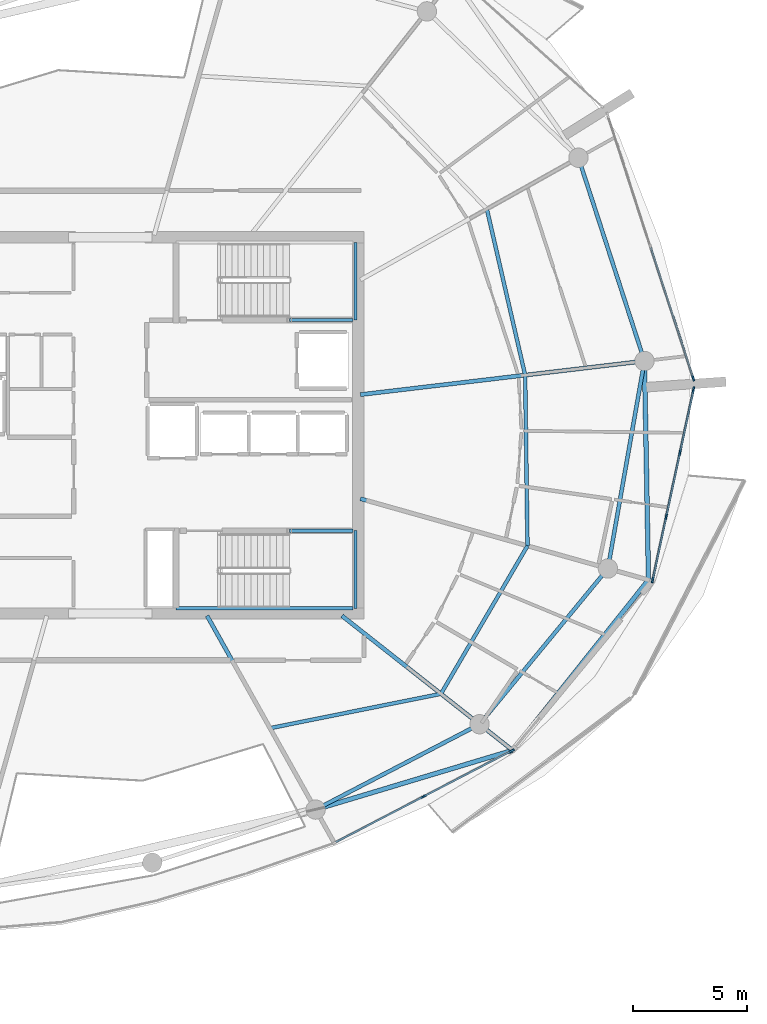
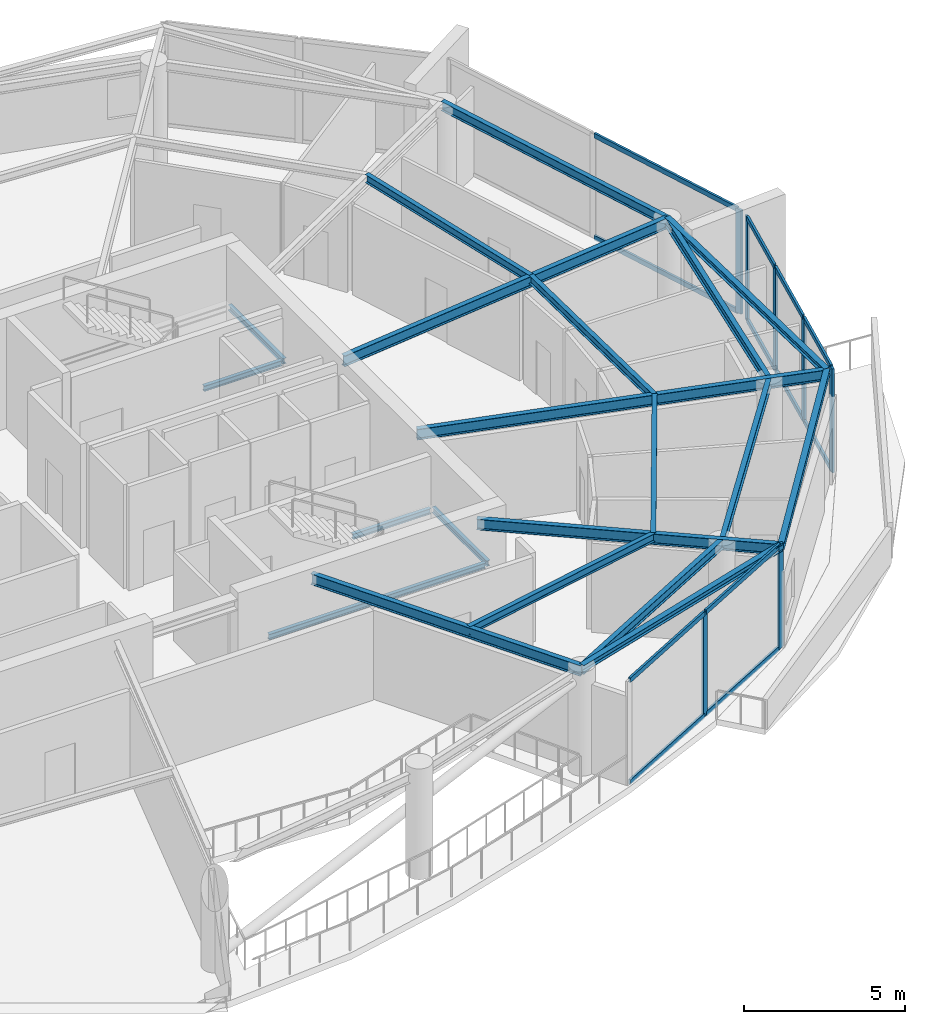
# One storey, part 6 of 22: 20 beams, 19 members, 3 elements without a shape of their own.
"""IFC4 building model written with IfcOpenShell, lengths in metres."""

import ifcopenshell
import ifcopenshell.guid

model = None  # the IFC model being written
_history = None  # IfcOwnerHistory: only IFC2X3 demands one
_inside = {}  # id of a spatial element -> (the spatial element, [elements in it])
_under = {}  # id of a project, library or spatial element -> (it, [spatial elements below it])
_declared = {}  # id of a project -> (the project, [libraries it declares])
_typed = {}  # id of a type object -> (the type object, [elements of that type])
_made_of = {}  # id of a material, layer set ... -> (it, [elements and type objects made of it])


def new_model(schema):
    """Start an empty IFC model of exactly this schema.

    Asked for "IFC4X3", IfcOpenShell would pick the latest addendum, in which some entities
    have other attributes; the version numbers below select the first issue.
    IFC2X3 requires an IfcOwnerHistory on every rooted entity: one is made here for all.
    """
    global model, _history
    if schema == "IFC4X3":
        model = ifcopenshell.file(schema_version=(4, 3, 0, 0))
    else:
        model = ifcopenshell.file(schema=schema)
    _inside.clear()
    _under.clear()
    _declared.clear()
    _typed.clear()
    _made_of.clear()
    _history = None
    if model.schema == "IFC2X3":
        org = make("IfcOrganization", Name="unknown")
        user = make(
            "IfcPersonAndOrganization",
            ThePerson=make("IfcPerson", FamilyName="unknown"),
            TheOrganization=org,
        )
        app = make(
            "IfcApplication",
            ApplicationDeveloper=org,
            Version="unknown",
            ApplicationFullName="unknown",
            ApplicationIdentifier="unknown",
        )
        _history = make(
            "IfcOwnerHistory",
            OwningUser=user,
            OwningApplication=app,
            ChangeAction="ADDED",
            CreationDate=0,
        )
    return model


def make(cls, **values):
    """One entity of the class cls with the attributes given. An attribute that is None is left unset."""
    return model.create_entity(
        cls, **{name: value for name, value in values.items() if value is not None}
    )


def rooted(cls, **values):
    """An entity with a GlobalId (a new one), such as an element, a storey or a relation."""
    return make(cls, GlobalId=ifcopenshell.guid.new(), OwnerHistory=_history, **values)


def si_unit(unit_type, name, prefix=None):
    """IfcSIUnit, for example si_unit("LENGTHUNIT", "METRE", prefix="MILLI")."""
    return make("IfcSIUnit", UnitType=unit_type, Prefix=prefix, Name=name)


def assignment(units):
    """IfcUnitAssignment: the units of a project."""
    return None if units is None else make("IfcUnitAssignment", Units=units)


def point(xyz):
    """IfcCartesianPoint."""
    return None if xyz is None else make("IfcCartesianPoint", Coordinates=xyz)


def direction(xyz):
    """IfcDirection."""
    return None if xyz is None else make("IfcDirection", DirectionRatios=xyz)


def frame(location, z_axis=None, x_axis=None):
    """IfcAxis2Placement3D, a coordinate frame: its origin and axes. An axis left out is left unset."""
    return make(
        "IfcAxis2Placement3D",
        Location=point(location),
        Axis=direction(z_axis),
        RefDirection=direction(x_axis),
    )


def frame_2d(location, x_axis=None):
    """IfcAxis2Placement2D, a coordinate frame in the plane: its origin and x axis."""
    return make(
        "IfcAxis2Placement2D", Location=point(location), RefDirection=direction(x_axis)
    )


def origin():
    """The frame at (0, 0, 0) with its axes left unset."""
    return frame((0.0, 0.0, 0.0))


def origin_2d():
    """The frame at (0, 0) in the plane with its x axis left unset."""
    return frame_2d((0.0, 0.0))


def place(relative_to, where):
    """IfcLocalPlacement: puts the frame where relative to a parent placement (None: the world)."""
    return make(
        "IfcLocalPlacement", PlacementRelTo=relative_to, RelativePlacement=where
    )


def context(
    kind, dimensions, precision=None, world=None, true_north=None, identifier=None
):
    """IfcGeometricRepresentationContext, for example the 3D "Model" context."""
    return make(
        "IfcGeometricRepresentationContext",
        ContextIdentifier=identifier,
        ContextType=kind,
        CoordinateSpaceDimension=dimensions,
        Precision=precision,
        WorldCoordinateSystem=world,
        TrueNorth=true_north,
    )


def subcontext(parent, identifier, kind, view, scale=None):
    """IfcGeometricRepresentationSubContext, for example "Body" below "Model"."""
    return make(
        "IfcGeometricRepresentationSubContext",
        ContextIdentifier=identifier,
        ContextType=kind,
        ParentContext=parent,
        TargetScale=scale,
        TargetView=view,
    )


def project(units=None, contexts=None):
    """IfcProject with its units and contexts."""
    return rooted(
        "IfcProject",
        Name="project",
        RepresentationContexts=contexts,
        UnitsInContext=assignment(units),
    )


def spatial(cls, under=None, at=None, **own):
    """A site, building, storey or space (cls), placed at a placement, below another one or the project."""
    s = rooted(cls, ObjectPlacement=at, **own)
    if under is not None:
        _under.setdefault(under.id(), (under, []))[1].append(s)
    return s


def profile(cls, at=None, kind="AREA", **sizes):
    """A parametric profile (cls). Its sizes go by their IFC names, for example OverallWidth=200.0."""
    return make(cls, ProfileType=kind, Position=at, **sizes)


def rectangle(**sizes):
    """IfcRectangleProfileDef."""
    return profile("IfcRectangleProfileDef", **sizes)


def i_section(**sizes):
    """IfcIShapeProfileDef."""
    return profile("IfcIShapeProfileDef", **sizes)


def extrude(swept, where, along, depth):
    """IfcExtrudedAreaSolid: the profile swept, set in the frame where, extruded along a direction by depth."""
    return make(
        "IfcExtrudedAreaSolid",
        SweptArea=swept,
        Position=where,
        ExtrudedDirection=direction(along),
        Depth=depth,
    )


def shape(context_of_items, identifier, shape_type, items):
    """IfcShapeRepresentation: the items that make up one representation, for example the "Body"."""
    return make(
        "IfcShapeRepresentation",
        ContextOfItems=context_of_items,
        RepresentationIdentifier=identifier,
        RepresentationType=shape_type,
        Items=items,
    )


def material(Name=None, Category=None):
    """IfcMaterial."""
    return make("IfcMaterial", Name=Name, Category=Category)


def layer(
    of_material, thickness, ventilated=None, Name=None, Category=None, Priority=None
):
    """IfcMaterialLayer: one layer of a wall or slab, of a material (None: an air gap)."""
    return make(
        "IfcMaterialLayer",
        Material=of_material,
        LayerThickness=thickness,
        IsVentilated=ventilated,
        Name=Name,
        Category=Category,
        Priority=Priority,
    )


def layer_set(layers, Name=None):
    """IfcMaterialLayerSet."""
    return make("IfcMaterialLayerSet", MaterialLayers=layers, LayerSetName=Name)


def material_profile(
    of_material, cross_section, Name=None, Category=None, Priority=None
):
    """IfcMaterialProfile: a cross section and its material."""
    return make(
        "IfcMaterialProfile",
        Name=Name,
        Material=of_material,
        Profile=cross_section,
        Priority=Priority,
        Category=Category,
    )


def profile_set(profiles, Name=None, composite=None):
    """IfcMaterialProfileSet."""
    return make(
        "IfcMaterialProfileSet",
        Name=Name,
        MaterialProfiles=profiles,
        CompositeProfile=composite,
    )


def made_of(thing, what):
    """Note that an element or type object is made of a material, layer set ...; save() writes the relation."""
    if what is not None:
        _made_of.setdefault(what.id(), (what, []))[1].append(thing)
    return thing


def type_object(cls, material=None, **own):
    """A type object (cls), such as IfcWallType, which elements share."""
    return made_of(rooted(cls, **own), material)


def element(
    cls,
    number,
    at=None,
    inside=None,
    cuts=None,
    type_object=None,
    material=None,
    context=None,
    identifier="Body",
    shape_type=None,
    held_by="IfcProductDefinitionShape",
    body=None,
    shapes=None,
    **own,
):
    """One element of the class cls, such as IfcWall. Its Tag is "e" and its number.

    at: its placement. inside: the storey or other place that contains it. cuts: it is an
    opening in that element (IfcRelVoidsElement). A single representation is given by context,
    identifier, shape_type and body (its items); several are given by shapes. held_by: the class
    of the entity that holds the representations. save() writes the other relations.
    """
    e = rooted(cls, Tag="e%d" % number, ObjectPlacement=at, **own)
    if body is not None:
        shapes = [shape(context, identifier, shape_type, body)]
    if shapes is not None:
        e.Representation = make(held_by, Representations=shapes)
    if inside is not None:
        _inside.setdefault(inside.id(), (inside, []))[1].append(e)
    if cuts is not None:
        rooted(
            "IfcRelVoidsElement", RelatingBuildingElement=cuts, RelatedOpeningElement=e
        )
    if type_object is not None:
        _typed.setdefault(type_object.id(), (type_object, []))[1].append(e)
    return made_of(e, material)


def aggregate(whole, parts):
    """IfcRelAggregates: a whole, such as a stair, and the parts it consists of."""
    return rooted("IfcRelAggregates", RelatingObject=whole, RelatedObjects=parts)


def save(model, path):
    """Write the relations noted so far, then the file.

    IfcRelAggregates (storeys below a building ...), IfcRelContainedInSpatialStructure (elements
    in a storey), IfcRelDefinesByType, IfcRelAssociatesMaterial and IfcRelDeclares: one each for
    every whole, place, type object, material and project.
    """
    for whole, parts in _under.values():
        aggregate(whole, parts)
    for where, things in _inside.values():
        rooted(
            "IfcRelContainedInSpatialStructure",
            RelatedElements=things,
            RelatingStructure=where,
        )
    for kind, things in _typed.values():
        rooted("IfcRelDefinesByType", RelatedObjects=things, RelatingType=kind)
    for what, things in _made_of.values():
        rooted("IfcRelAssociatesMaterial", RelatedObjects=things, RelatingMaterial=what)
    for by, libraries in _declared.values():
        rooted("IfcRelDeclares", RelatingContext=by, RelatedDefinitions=libraries)
    model.write(path)


model = new_model("IFC4")

# Units and contexts
model_context = context("Model", 3, precision=1e-05, world=origin(), true_north=direction((0.0, 1.0)))
body_context = subcontext(model_context, "Body", "Model", "MODEL_VIEW")
ifc_project = project(units=[si_unit("LENGTHUNIT", "METRE"), si_unit("AREAUNIT", "SQUARE_METRE"), si_unit("VOLUMEUNIT", "CUBIC_METRE"), si_unit("PLANEANGLEUNIT", "RADIAN"), si_unit("MASSUNIT", "GRAM", prefix="KILO")], contexts=[model_context])

# Site, building, storey
site_placement = place(None, origin())
site = spatial("IfcSite", under=ifc_project, at=site_placement, CompositionType="ELEMENT")
building_placement = place(site_placement, origin())
building = spatial("IfcBuilding", under=site, at=building_placement, Name="Kazma Halo Residences", CompositionType="ELEMENT")
storey_placement = place(building_placement, frame((0.0, 0.0, 334.699951171875)))
storey = spatial("IfcBuildingStorey", under=building, at=storey_placement, Name="L84", CompositionType="ELEMENT", Elevation=334.699951171875)

# Beams
ifc_material_1 = material(Name="Steel S355", Category="steel")
ifc_material_profile_1 = material_profile(ifc_material_1, i_section(OverallWidth=0.201904296875, OverallDepth=0.2470703125, WebThickness=0.00732421875, FlangeThickness=0.010986328125, FilletRadius=0.011962890625, at=origin_2d()), Name="W250x49.1")
ifc_profile_set_1 = profile_set([ifc_material_profile_1], Name="Steel S355")
beam_type_1 = type_object("IfcBeamType", Name="BM-BAL-CANT", PredefinedType="BEAM", material=ifc_profile_set_1)
beam_1_placement = place(storey_placement, frame((57.436767578125, 25.1494140625, 3.816650390625), z_axis=(0.957652623349, 0.287926124193, 0.0), x_axis=(-0.287926124193, 0.957652623349, 0.0)))
element("IfcBeam", 1, at=beam_1_placement, inside=storey, type_object=beam_type_1, Name="L84 wave-balcony lead tie beam 13", PredefinedType="BEAM", context=body_context, shape_type="SweptSolid", body=[
    extrude(i_section(OverallWidth=0.201904296875, OverallDepth=0.2470703125, WebThickness=0.00732421875, FlangeThickness=0.010986328125, FilletRadius=0.011962890625, at=origin_2d()), origin(), (0.0, 0.0, 1.0), 9.0244140625),
])
beam_2_placement = place(storey_placement, frame((66.0791015625, 27.747802734375, 3.816650390625), z_axis=(0.623310870646, 0.781974141858, 0.0), x_axis=(-0.781974141858, 0.623310870646, 0.0)))
element("IfcBeam", 2, at=beam_2_placement, inside=storey, type_object=beam_type_1, Name="L84 wave-balcony tie beam 14", PredefinedType="BEAM", context=body_context, shape_type="SweptSolid", body=[
    extrude(i_section(OverallWidth=0.201904296875, OverallDepth=0.2470703125, WebThickness=0.00732421875, FlangeThickness=0.010986328125, FilletRadius=0.011962890625, at=origin_2d()), origin(), (0.0, 0.0, 1.0), 9.55712890625),
])
beam_3_placement = place(storey_placement, frame((72.0361328125, 35.22119140625, 3.816650390625), z_axis=(-0.018301708623, 0.999832509704, 0.0), x_axis=(-0.999832509704, -0.018301708623, 0.0)))
element("IfcBeam", 3, at=beam_3_placement, inside=storey, type_object=beam_type_1, Name="L84 wave-balcony tie beam 15", PredefinedType="BEAM", context=body_context, shape_type="SweptSolid", body=[
    extrude(i_section(OverallWidth=0.201904296875, OverallDepth=0.2470703125, WebThickness=0.00732421875, FlangeThickness=0.010986328125, FilletRadius=0.011962890625, at=origin_2d()), origin(), (0.0, 0.0, 1.0), 9.604736328125),
])
ifc_material_profile_2 = material_profile(ifc_material_1, i_section(OverallWidth=0.177978515625, OverallDepth=0.406982421875, WebThickness=0.0078125, FlangeThickness=0.0126953125, FilletRadius=0.013916015625, at=origin_2d()), Name="W410x60")
ifc_profile_set_2 = profile_set([ifc_material_profile_2], Name="Steel S355")
beam_type_2 = type_object("IfcBeamType", Name="BM-RAD-W410", PredefinedType="BEAM", material=ifc_profile_set_2)
beam_4_placement = place(storey_placement, frame((52.67626953125, 33.64990234375, 3.736572265625), z_axis=(0.488620919127, -0.872496187608, 0.0), x_axis=(0.872496187608, 0.488620919127, 0.0)))
element("IfcBeam", 4, at=beam_4_placement, inside=storey, type_object=beam_type_2, Name="L84 radial floor beam 13", PredefinedType="BEAM", context=body_context, shape_type="SweptSolid", body=[
    extrude(i_section(OverallWidth=0.177978515625, OverallDepth=0.406982421875, WebThickness=0.0078125, FlangeThickness=0.0126953125, FilletRadius=0.013916015625, at=origin_2d()), origin(), (0.0, 0.0, 1.0), 9.74267578125),
])
beam_5_placement = place(storey_placement, frame((58.591796875, 33.64990234375, 3.736572265625), z_axis=(0.785338117696, -0.619067073017, 0.0), x_axis=(0.619067073017, 0.785338117696, 0.0)))
element("IfcBeam", 5, at=beam_5_placement, inside=storey, type_object=beam_type_2, Name="L84 radial floor beam 14", PredefinedType="BEAM", context=body_context, shape_type="SweptSolid", body=[
    extrude(i_section(OverallWidth=0.177978515625, OverallDepth=0.406982421875, WebThickness=0.0078125, FlangeThickness=0.0126953125, FilletRadius=0.013916015625, at=origin_2d()), origin(), (0.0, 0.0, 1.0), 9.533935546875),
])
beam_6_placement = place(storey_placement, frame((59.39990234375, 38.784912109375, 3.736572265625), z_axis=(0.962456527183, -0.271435873243, 0.0), x_axis=(0.271435873243, 0.962456527183, 0.0)))
element("IfcBeam", 6, at=beam_6_placement, inside=storey, type_object=beam_type_2, Name="L84 radial floor beam 15", PredefinedType="BEAM", context=body_context, shape_type="SweptSolid", body=[
    extrude(i_section(OverallWidth=0.177978515625, OverallDepth=0.406982421875, WebThickness=0.0078125, FlangeThickness=0.0126953125, FilletRadius=0.013916015625, at=origin_2d()), origin(), (0.0, 0.0, 1.0), 13.129150390625),
])
beam_7_placement = place(storey_placement, frame((59.39990234375, 43.349365234375, 3.736572265625), z_axis=(0.993067878665, 0.117542283299, 0.0), x_axis=(-0.117542283299, 0.993067878665, 0.0)))
element("IfcBeam", 7, at=beam_7_placement, inside=storey, type_object=beam_type_2, Name="L84 radial floor beam 16", PredefinedType="BEAM", context=body_context, shape_type="SweptSolid", body=[
    extrude(i_section(OverallWidth=0.177978515625, OverallDepth=0.406982421875, WebThickness=0.0078125, FlangeThickness=0.0126953125, FilletRadius=0.013916015625, at=origin_2d()), origin(), (0.0, 0.0, 1.0), 12.54736328125),
])
ifc_material_profile_3 = material_profile(ifc_material_1, i_section(OverallWidth=0.1650390625, OverallDepth=0.31005859375, WebThickness=0.005859375, FlangeThickness=0.009765625, FilletRadius=0.011962890625, at=origin_2d()), Name="W310x38.7")
ifc_profile_set_3 = profile_set([ifc_material_profile_3], Name="Steel S355")
beam_type_3 = type_object("IfcBeamType", Name="BM-SEC-W310B", PredefinedType="JOIST", material=ifc_profile_set_3)
beam_8_placement = place(storey_placement, frame((55.437255859375, 28.719482421875, 3.78515625), z_axis=(0.980381248206, 0.197110649551, 0.0), x_axis=(-0.197110649551, 0.980381248206, 0.0)))
element("IfcBeam", 8, at=beam_8_placement, inside=storey, type_object=beam_type_3, Name="L84 circumferential floor joist 13", PredefinedType="JOIST", context=body_context, shape_type="SweptSolid", body=[
    extrude(i_section(OverallWidth=0.1650390625, OverallDepth=0.31005859375, WebThickness=0.005859375, FlangeThickness=0.009765625, FilletRadius=0.011962890625, at=origin_2d()), origin(), (0.0, 0.0, 1.0), 7.647216796875),
])
beam_9_placement = place(storey_placement, frame((62.934326171875, 30.226806640625, 3.78515625), z_axis=(0.504678344784, 0.863307458734, 0.0), x_axis=(-0.863307458734, 0.504678344784, 0.0)))
element("IfcBeam", 9, at=beam_9_placement, inside=storey, type_object=beam_type_3, Name="L84 circumferential floor joist 14", PredefinedType="JOIST", context=body_context, shape_type="SweptSolid", body=[
    extrude(i_section(OverallWidth=0.1650390625, OverallDepth=0.31005859375, WebThickness=0.005859375, FlangeThickness=0.009765625, FilletRadius=0.011962890625, at=origin_2d()), origin(), (0.0, 0.0, 1.0), 7.51904296875),
])
beam_10_placement = place(storey_placement, frame((66.72900390625, 36.718017578125, 3.78515625), z_axis=(-0.013629909387, 0.999907108471, 0.0), x_axis=(-0.999907108471, -0.013629909387, 0.0)))
element("IfcBeam", 10, at=beam_10_placement, inside=storey, type_object=beam_type_3, Name="L84 circumferential floor joist 15", PredefinedType="JOIST", context=body_context, shape_type="SweptSolid", body=[
    extrude(i_section(OverallWidth=0.1650390625, OverallDepth=0.31005859375, WebThickness=0.005859375, FlangeThickness=0.009765625, FilletRadius=0.011962890625, at=origin_2d()), origin(), (0.0, 0.0, 1.0), 7.4873046875),
])
beam_11_placement = place(storey_placement, frame((66.626953125, 44.20458984375, 3.78515625), z_axis=(-0.224709269338, 0.974425853656, 0.0), x_axis=(-0.974425853656, -0.224709269338, 0.0)))
element("IfcBeam", 11, at=beam_11_placement, inside=storey, type_object=beam_type_3, Name="L84 circumferential floor joist 16", PredefinedType="JOIST", context=body_context, shape_type="SweptSolid", body=[
    extrude(i_section(OverallWidth=0.1650390625, OverallDepth=0.31005859375, WebThickness=0.005859375, FlangeThickness=0.009765625, FilletRadius=0.011962890625, at=origin_2d()), origin(), (0.0, 0.0, 1.0), 7.47705078125),
])
ifc_material_profile_4 = material_profile(ifc_material_1, i_section(OverallWidth=0.1708984375, OverallDepth=0.35498046875, WebThickness=0.007080078125, FlangeThickness=0.01171875, FilletRadius=0.013916015625, at=origin_2d()), Name="W360x51")
ifc_profile_set_4 = profile_set([ifc_material_profile_4], Name="Steel S355")
beam_type_4 = type_object("IfcBeamType", Name="BM-SPN-W360", PredefinedType="BEAM", material=ifc_profile_set_4)
beam_12_placement = place(storey_placement, frame((57.436767578125, 25.1494140625, 3.762451171875), z_axis=(0.886957269655, 0.461851493238, 0.0), x_axis=(-0.461851493238, 0.886957269655, 0.0)))
element("IfcBeam", 12, at=beam_12_placement, inside=storey, type_object=beam_type_4, Name="L84 perimeter ring beam 13", PredefinedType="BEAM", context=body_context, shape_type="SweptSolid", body=[
    extrude(i_section(OverallWidth=0.1708984375, OverallDepth=0.35498046875, WebThickness=0.007080078125, FlangeThickness=0.01171875, FilletRadius=0.013916015625, at=origin_2d()), origin(), (0.0, 0.0, 1.0), 8.105712890625),
])
beam_13_placement = place(storey_placement, frame((64.626220703125, 28.89306640625, 3.762451171875), z_axis=(0.636004986424, 0.771684946881, 0.0), x_axis=(-0.771684946881, 0.636004986424, 0.0)))
element("IfcBeam", 13, at=beam_13_placement, inside=storey, type_object=beam_type_4, Name="L84 perimeter ring beam 14", PredefinedType="BEAM", context=body_context, shape_type="SweptSolid", body=[
    extrude(i_section(OverallWidth=0.1708984375, OverallDepth=0.35498046875, WebThickness=0.007080078125, FlangeThickness=0.01171875, FilletRadius=0.013916015625, at=origin_2d()), origin(), (0.0, 0.0, 1.0), 8.85107421875),
])
beam_14_placement = place(storey_placement, frame((70.255615234375, 35.723388671875, 3.762451171875), z_axis=(0.173649692956, 0.984807485825, 0.0), x_axis=(-0.984807485825, 0.173649692956, 0.0)))
element("IfcBeam", 14, at=beam_14_placement, inside=storey, type_object=beam_type_4, Name="L84 perimeter ring beam 15", PredefinedType="BEAM", context=body_context, shape_type="SweptSolid", body=[
    extrude(i_section(OverallWidth=0.1708984375, OverallDepth=0.35498046875, WebThickness=0.007080078125, FlangeThickness=0.01171875, FilletRadius=0.013916015625, at=origin_2d()), origin(), (0.0, 0.0, 1.0), 9.2412109375),
])
beam_15_placement = place(storey_placement, frame((71.8603515625, 44.82421875, 3.762451171875), z_axis=(-0.309023062674, 0.951054544564, 0.0), x_axis=(-0.951054544564, -0.309023062674, 0.0)))
element("IfcBeam", 15, at=beam_15_placement, inside=storey, type_object=beam_type_4, Name="L84 perimeter ring beam 16", PredefinedType="BEAM", context=body_context, shape_type="SweptSolid", body=[
    extrude(i_section(OverallWidth=0.1708984375, OverallDepth=0.35498046875, WebThickness=0.007080078125, FlangeThickness=0.01171875, FilletRadius=0.013916015625, at=origin_2d()), origin(), (0.0, 0.0, 1.0), 9.37451171875),
])
ifc_material_profile_5 = material_profile(ifc_material_1, i_section(OverallWidth=0.133056640625, OverallDepth=0.20703125, WebThickness=0.005859375, FlangeThickness=0.00830078125, FilletRadius=0.010009765625, at=origin_2d()), Name="W200x26.6")
ifc_profile_set_5 = profile_set([ifc_material_profile_5], Name="Steel S355")
beam_type_5 = type_object("IfcBeamType", Name="BM-TRIM-W200", PredefinedType="BEAM", material=ifc_profile_set_5)
beam_16_placement = place(storey_placement, frame((56.280029296875, 46.6201171875, 1.795166015625), z_axis=(1.0, 0.0, 0.0), x_axis=(0.0, 1.0, 0.0)))
element("IfcBeam", 16, at=beam_16_placement, inside=storey, type_object=beam_type_5, Name="L84 ST-02 landing south wall ledger", PredefinedType="BEAM", context=body_context, shape_type="SweptSolid", body=[
    extrude(i_section(OverallWidth=0.133056640625, OverallDepth=0.20703125, WebThickness=0.005859375, FlangeThickness=0.00830078125, FilletRadius=0.010009765625, at=origin_2d()), origin(), (0.0, 0.0, 1.0), 2.7900390625),
])
beam_17_placement = place(storey_placement, frame((59.18994140625, 46.6201171875, 1.795166015625), z_axis=(0.0, 1.0, 0.0), x_axis=(-1.0, 0.0, 0.0)))
element("IfcBeam", 17, at=beam_17_placement, inside=storey, type_object=beam_type_5, Name="L84 ST-02 landing end wall ledger", PredefinedType="BEAM", context=body_context, shape_type="SweptSolid", body=[
    extrude(i_section(OverallWidth=0.133056640625, OverallDepth=0.20703125, WebThickness=0.005859375, FlangeThickness=0.00830078125, FilletRadius=0.010009765625, at=origin_2d()), origin(), (0.0, 0.0, 1.0), 3.39990234375),
])
beam_18_placement = place(storey_placement, frame((51.31005859375, 33.97998046875, 1.795166015625), z_axis=(1.0, 0.0, 0.0), x_axis=(0.0, 1.0, 0.0)))
element("IfcBeam", 18, at=beam_18_placement, inside=storey, type_object=beam_type_5, Name="L84 ST-03 landing south wall ledger", PredefinedType="BEAM", context=body_context, shape_type="SweptSolid", body=[
    extrude(i_section(OverallWidth=0.133056640625, OverallDepth=0.20703125, WebThickness=0.005859375, FlangeThickness=0.00830078125, FilletRadius=0.010009765625, at=origin_2d()), origin(), (0.0, 0.0, 1.0), 7.760009765625),
])
beam_19_placement = place(storey_placement, frame((56.280029296875, 37.3798828125, 1.795166015625), z_axis=(1.0, 0.0, 0.0), x_axis=(0.0, 1.0, 0.0)))
element("IfcBeam", 19, at=beam_19_placement, inside=storey, type_object=beam_type_5, Name="L84 ST-03 landing north wall ledger", PredefinedType="BEAM", context=body_context, shape_type="SweptSolid", body=[
    extrude(i_section(OverallWidth=0.133056640625, OverallDepth=0.20703125, WebThickness=0.005859375, FlangeThickness=0.00830078125, FilletRadius=0.010009765625, at=origin_2d()), origin(), (0.0, 0.0, 1.0), 2.7900390625),
])
beam_20_placement = place(storey_placement, frame((59.18994140625, 33.97998046875, 1.795166015625), z_axis=(0.0, 1.0, 0.0), x_axis=(-1.0, 0.0, 0.0)))
element("IfcBeam", 20, at=beam_20_placement, inside=storey, type_object=beam_type_5, Name="L84 ST-03 landing end wall ledger", PredefinedType="BEAM", context=body_context, shape_type="SweptSolid", body=[
    extrude(i_section(OverallWidth=0.133056640625, OverallDepth=0.20703125, WebThickness=0.005859375, FlangeThickness=0.00830078125, FilletRadius=0.010009765625, at=origin_2d()), origin(), (0.0, 0.0, 1.0), 3.39990234375),
])

# Curtain wall, members
ifc_material_2 = material(Name="Aluminium AW-6063 T6 and Triple-Silver Low-E Glass", Category="aluminium")
ifc_layer = layer(ifc_material_2, 0.239990234375)
ifc_layer_set = layer_set([ifc_layer], Name="Aluminium AW-6063 T6 and Triple-Silver Low-E Glass")
curtain_wall_type = type_object("IfcCurtainWallType", Name="CW-SYS-6", PredefinedType="NOTDEFINED", material=ifc_layer_set)
curtain_wall_1_placement = place(storey_placement, origin())
curtain_wall_1 = element("IfcCurtainWall", 21, at=curtain_wall_1_placement, inside=storey, type_object=curtain_wall_type, Name="L84 unitised curtain wall B13", PredefinedType="NOTDEFINED")
ifc_material_3 = material(Name="Aluminium AW-6063 T6", Category="aluminium")
ifc_material_profile_6 = material_profile(ifc_material_3, rectangle(XDim=0.080078125, YDim=0.239990234375, at=origin_2d()), Name="CWM-80x240")
ifc_profile_set_6 = profile_set([ifc_material_profile_6], Name="Aluminium AW-6063 T6")
member_type_1 = type_object("IfcMemberType", Name="CW-SYS-6-MUL", PredefinedType="MULLION", material=ifc_profile_set_6)
member_1_placement = place(storey_placement, frame((62.16552734375, 25.71923828125, 0.0), z_axis=(0.0, 0.0, 1.0), x_axis=(-0.460796020861, 0.887506071618, 0.0)))
member_1 = element("IfcMember", 22, at=member_1_placement, type_object=member_type_1, Name="CWS-6 mullion 2", PredefinedType="MULLION", context=body_context, shape_type="SweptSolid", body=[
    extrude(rectangle(XDim=0.080078125, YDim=0.239990234375, at=origin_2d()), origin(), (0.0, 0.0, 1.0), 3.93994140625),
])
member_2_placement = place(storey_placement, frame((66.041015625, 27.731201171875, 0.0), z_axis=(0.0, 0.0, 1.0), x_axis=(-0.460796020861, 0.887506071618, 0.0)))
member_2 = element("IfcMember", 23, at=member_2_placement, type_object=member_type_1, Name="CWS-6 mullion 3", PredefinedType="MULLION", context=body_context, shape_type="SweptSolid", body=[
    extrude(rectangle(XDim=0.080078125, YDim=0.239990234375, at=origin_2d()), origin(), (0.0, 0.0, 1.0), 3.93994140625),
])

curtain_wall_2_placement = place(storey_placement, origin())
curtain_wall_2 = element("IfcCurtainWall", 24, at=curtain_wall_2_placement, inside=storey, type_object=curtain_wall_type, Name="L84 unitised curtain wall B15", PredefinedType="NOTDEFINED")
member_3_placement = place(storey_placement, frame((72.2158203125, 35.2119140625, 0.0), z_axis=(0.0, 0.0, 1.0), x_axis=(-0.977760865363, 0.209722888986, 0.0)))
member_3 = element("IfcMember", 25, at=member_3_placement, type_object=member_type_1, Name="CWS-6 mullion 1", PredefinedType="MULLION", context=body_context, shape_type="SweptSolid", body=[
    extrude(rectangle(XDim=0.080078125, YDim=0.239990234375, at=origin_2d()), origin(), (0.0, 0.0, 1.0), 3.93994140625),
])
member_4_placement = place(storey_placement, frame((72.81103515625, 37.986572265625, 0.0), z_axis=(0.0, 0.0, 1.0), x_axis=(-0.977760865363, 0.209722888986, 0.0)))
member_4 = element("IfcMember", 26, at=member_4_placement, type_object=member_type_1, Name="CWS-6 mullion 2", PredefinedType="MULLION", context=body_context, shape_type="SweptSolid", body=[
    extrude(rectangle(XDim=0.080078125, YDim=0.239990234375, at=origin_2d()), origin(), (0.0, 0.0, 1.0), 3.93994140625),
])
member_5_placement = place(storey_placement, frame((73.41455078125, 40.80029296875, 0.0), z_axis=(0.0, 0.0, 1.0), x_axis=(-0.977760865363, 0.209722888986, 0.0)))
member_5 = element("IfcMember", 27, at=member_5_placement, type_object=member_type_1, Name="CWS-6 mullion 3", PredefinedType="MULLION", context=body_context, shape_type="SweptSolid", body=[
    extrude(rectangle(XDim=0.080078125, YDim=0.239990234375, at=origin_2d()), origin(), (0.0, 0.0, 1.0), 3.93994140625),
])
member_6_placement = place(storey_placement, frame((74.009765625, 43.574951171875, 0.0), z_axis=(0.0, 0.0, 1.0), x_axis=(-0.977760865363, 0.209722888986, 0.0)))
member_6 = element("IfcMember", 28, at=member_6_placement, type_object=member_type_1, Name="CWS-6 mullion 4", PredefinedType="MULLION", context=body_context, shape_type="SweptSolid", body=[
    extrude(rectangle(XDim=0.080078125, YDim=0.239990234375, at=origin_2d()), origin(), (0.0, 0.0, 1.0), 3.93994140625),
])

# Curtain wall, member
curtain_wall_3_placement = place(storey_placement, origin())
curtain_wall_3 = element("IfcCurtainWall", 29, at=curtain_wall_3_placement, inside=storey, type_object=curtain_wall_type, Name="L84 unitised curtain wall B16", PredefinedType="NOTDEFINED")
member_7_placement = place(storey_placement, frame((73.9990234375, 44.062255859375, 0.0), z_axis=(0.0, 0.0, 1.0), x_axis=(-0.951055886462, -0.309018932797, 0.0)))
member_7 = element("IfcMember", 30, at=member_7_placement, type_object=member_type_1, Name="CWS-6 mullion 1", PredefinedType="MULLION", context=body_context, shape_type="SweptSolid", body=[
    extrude(rectangle(XDim=0.080078125, YDim=0.239990234375, at=origin_2d()), origin(), (0.0, 0.0, 1.0), 3.93994140625),
])

# Member
ifc_material_profile_7 = material_profile(ifc_material_3, rectangle(XDim=0.080078125, YDim=0.179931640625, at=origin_2d()), Name="CWT-80x180")
ifc_profile_set_7 = profile_set([ifc_material_profile_7], Name="Aluminium AW-6063 T6")
member_type_2 = type_object("IfcMemberType", Name="CW-SYS-6-TRN", PredefinedType="USERDEFINED", material=ifc_profile_set_7)
member_8_placement = place(storey_placement, frame((58.32568359375, 23.7255859375, 0.0400390625), z_axis=(0.88752339951, 0.460762645321, 0.0), x_axis=(-0.460762645321, 0.88752339951, 0.0)))
member_8 = element("IfcMember", 31, at=member_8_placement, type_object=member_type_2, Name="CWS-6 transom 1.1", ObjectType="TRANSOM", PredefinedType="USERDEFINED", context=body_context, shape_type="SweptSolid", body=[
    extrude(rectangle(XDim=0.080078125, YDim=0.179931640625, at=origin_2d()), origin(), (0.0, 0.0, 1.0), 4.28662109375),
])

member_9_placement = place(storey_placement, frame((58.32568359375, 23.7255859375, 3.900146484375), z_axis=(0.88752339951, 0.460762645321, 0.0), x_axis=(-0.460762645321, 0.88752339951, 0.0)))
member_9 = element("IfcMember", 32, at=member_9_placement, type_object=member_type_2, Name="CWS-6 transom 1.2", ObjectType="TRANSOM", PredefinedType="USERDEFINED", context=body_context, shape_type="SweptSolid", body=[
    extrude(rectangle(XDim=0.080078125, YDim=0.179931640625, at=origin_2d()), origin(), (0.0, 0.0, 1.0), 4.28662109375),
])

member_10_placement = place(storey_placement, frame((62.201171875, 25.737548828125, 0.0400390625), z_axis=(0.887488013571, 0.4608307995, 0.0), x_axis=(-0.4608307995, 0.887488013571, 0.0)))
member_10 = element("IfcMember", 33, at=member_10_placement, type_object=member_type_2, Name="CWS-6 transom 2.1", ObjectType="TRANSOM", PredefinedType="USERDEFINED", context=body_context, shape_type="SweptSolid", body=[
    extrude(rectangle(XDim=0.080078125, YDim=0.179931640625, at=origin_2d()), origin(), (0.0, 0.0, 1.0), 4.286376953125),
])

member_11_placement = place(storey_placement, frame((62.201171875, 25.737548828125, 3.900146484375), z_axis=(0.887488013571, 0.4608307995, 0.0), x_axis=(-0.4608307995, 0.887488013571, 0.0)))
member_11 = element("IfcMember", 34, at=member_11_placement, type_object=member_type_2, Name="CWS-6 transom 2.2", ObjectType="TRANSOM", PredefinedType="USERDEFINED", context=body_context, shape_type="SweptSolid", body=[
    extrude(rectangle(XDim=0.080078125, YDim=0.179931640625, at=origin_2d()), origin(), (0.0, 0.0, 1.0), 4.286376953125),
])

aggregate(curtain_wall_1, [member_1, member_2, member_8, member_9, member_10, member_11])

member_12_placement = place(storey_placement, frame((72.224365234375, 35.2509765625, 0.0400390625), z_axis=(0.209716499477, 0.977762235846, 0.0), x_axis=(-0.977762235846, 0.209716499477, 0.0)))
member_12 = element("IfcMember", 35, at=member_12_placement, type_object=member_type_2, Name="CWS-6 transom 1.1", ObjectType="TRANSOM", PredefinedType="USERDEFINED", context=body_context, shape_type="SweptSolid", body=[
    extrude(rectangle(XDim=0.080078125, YDim=0.179931640625, at=origin_2d()), origin(), (0.0, 0.0, 1.0), 2.7578125),
])

member_13_placement = place(storey_placement, frame((72.224365234375, 35.2509765625, 3.900146484375), z_axis=(0.209716499477, 0.977762235846, 0.0), x_axis=(-0.977762235846, 0.209716499477, 0.0)))
member_13 = element("IfcMember", 36, at=member_13_placement, type_object=member_type_2, Name="CWS-6 transom 1.2", ObjectType="TRANSOM", PredefinedType="USERDEFINED", context=body_context, shape_type="SweptSolid", body=[
    extrude(rectangle(XDim=0.080078125, YDim=0.179931640625, at=origin_2d()), origin(), (0.0, 0.0, 1.0), 2.7578125),
])

member_14_placement = place(storey_placement, frame((72.8193359375, 38.025634765625, 0.0400390625), z_axis=(0.209773410621, 0.977750027459, 0.0), x_axis=(-0.977750027459, 0.209773410621, 0.0)))
member_14 = element("IfcMember", 37, at=member_14_placement, type_object=member_type_2, Name="CWS-6 transom 2.1", ObjectType="TRANSOM", PredefinedType="USERDEFINED", context=body_context, shape_type="SweptSolid", body=[
    extrude(rectangle(XDim=0.080078125, YDim=0.179931640625, at=origin_2d()), origin(), (0.0, 0.0, 1.0), 2.7978515625),
])

member_15_placement = place(storey_placement, frame((72.8193359375, 38.025634765625, 3.900146484375), z_axis=(0.209773410621, 0.977750027459, 0.0), x_axis=(-0.977750027459, 0.209773410621, 0.0)))
member_15 = element("IfcMember", 38, at=member_15_placement, type_object=member_type_2, Name="CWS-6 transom 2.2", ObjectType="TRANSOM", PredefinedType="USERDEFINED", context=body_context, shape_type="SweptSolid", body=[
    extrude(rectangle(XDim=0.080078125, YDim=0.179931640625, at=origin_2d()), origin(), (0.0, 0.0, 1.0), 2.7978515625),
])

member_16_placement = place(storey_placement, frame((73.4228515625, 40.83935546875, 0.0400390625), z_axis=(0.209716499477, 0.977762235846, 0.0), x_axis=(-0.977762235846, 0.209716499477, 0.0)))
member_16 = element("IfcMember", 39, at=member_16_placement, type_object=member_type_2, Name="CWS-6 transom 3.1", ObjectType="TRANSOM", PredefinedType="USERDEFINED", context=body_context, shape_type="SweptSolid", body=[
    extrude(rectangle(XDim=0.080078125, YDim=0.179931640625, at=origin_2d()), origin(), (0.0, 0.0, 1.0), 2.7578125),
])

member_17_placement = place(storey_placement, frame((73.4228515625, 40.83935546875, 3.900146484375), z_axis=(0.209716499477, 0.977762235846, 0.0), x_axis=(-0.977762235846, 0.209716499477, 0.0)))
member_17 = element("IfcMember", 40, at=member_17_placement, type_object=member_type_2, Name="CWS-6 transom 3.2", ObjectType="TRANSOM", PredefinedType="USERDEFINED", context=body_context, shape_type="SweptSolid", body=[
    extrude(rectangle(XDim=0.080078125, YDim=0.179931640625, at=origin_2d()), origin(), (0.0, 0.0, 1.0), 2.7578125),
])

aggregate(curtain_wall_2, [member_3, member_4, member_5, member_6, member_12, member_13, member_14, member_15, member_16, member_17])

member_18_placement = place(storey_placement, frame((73.986572265625, 44.100341796875, 0.0400390625), z_axis=(-0.309007770724, 0.951059513191, 0.0), x_axis=(-0.951059513191, -0.309007770724, 0.0)))
member_18 = element("IfcMember", 41, at=member_18_placement, type_object=member_type_2, Name="CWS-6 transom 1.1", ObjectType="TRANSOM", PredefinedType="USERDEFINED", context=body_context, shape_type="SweptSolid", body=[
    extrude(rectangle(XDim=0.080078125, YDim=0.179931640625, at=origin_2d()), origin(), (0.0, 0.0, 1.0), 5.99267578125),
])

member_19_placement = place(storey_placement, frame((73.986572265625, 44.100341796875, 3.900146484375), z_axis=(-0.309007770724, 0.951059513191, 0.0), x_axis=(-0.951059513191, -0.309007770724, 0.0)))
member_19 = element("IfcMember", 42, at=member_19_placement, type_object=member_type_2, Name="CWS-6 transom 1.2", ObjectType="TRANSOM", PredefinedType="USERDEFINED", context=body_context, shape_type="SweptSolid", body=[
    extrude(rectangle(XDim=0.080078125, YDim=0.179931640625, at=origin_2d()), origin(), (0.0, 0.0, 1.0), 5.99267578125),
])

aggregate(curtain_wall_3, [member_7, member_18, member_19])

save(model, "model.ifc")
